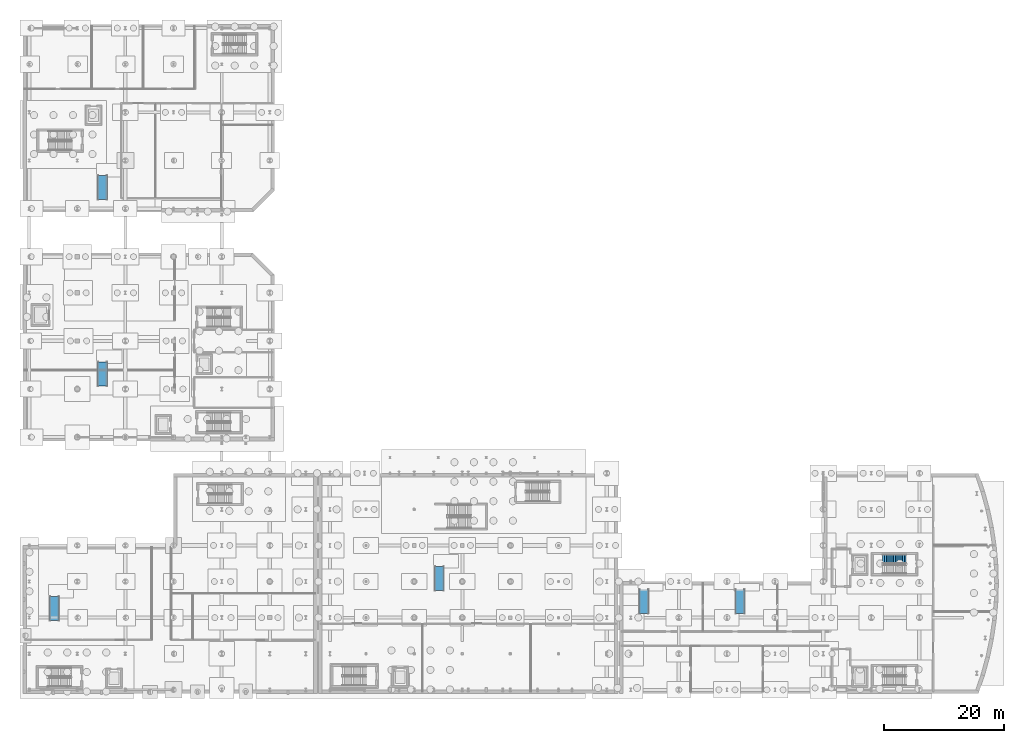
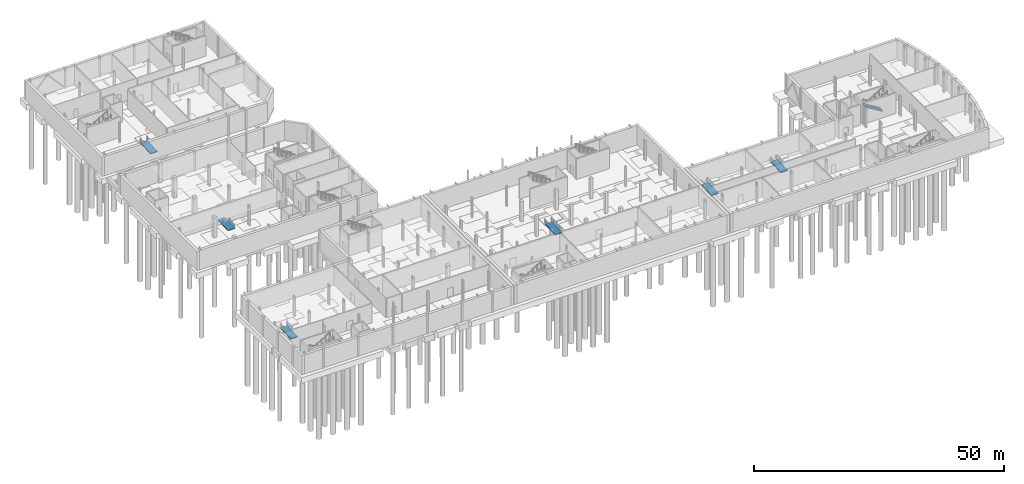
# One storey, part 31 of 47: 6 ramps, 6 ramp flights, 1 stair flight, 1 element without a shape of its own.
"""IFC4 building model written with IfcOpenShell, lengths in metres."""

from ifc_helpers import new_model, si_unit, direction, frame, origin, place, context, subcontext, project, spatial, polyline, outline, extrude, material, layer, layer_set, type_object, element, aggregate, save


model = new_model("IFC4")

# Units and contexts
model_context = context("Model", 3, precision=1e-05, world=origin(), true_north=direction((0.0, 1.0)))
body_context = subcontext(model_context, "Body", "Model", "MODEL_VIEW")
ifc_project = project(units=[si_unit("LENGTHUNIT", "METRE"), si_unit("AREAUNIT", "SQUARE_METRE"), si_unit("VOLUMEUNIT", "CUBIC_METRE"), si_unit("PLANEANGLEUNIT", "RADIAN"), si_unit("MASSUNIT", "GRAM", prefix="KILO")], contexts=[model_context])

# Site, building, storey
site_placement = place(None, origin())
site = spatial("IfcSite", under=ifc_project, at=site_placement, CompositionType="ELEMENT")
building_placement = place(site_placement, origin())
building = spatial("IfcBuilding", under=site, at=building_placement, Name="Cymarion Research Institute", CompositionType="ELEMENT")
storey_placement = place(building_placement, frame((0.0, 0.0, -5.0)))
storey = spatial("IfcBuildingStorey", under=building, at=storey_placement, Name="B1", CompositionType="ELEMENT", Elevation=-5.0)

# Stair, stair flight
ifc_material = material(Name="Concrete C35/45", Category="concrete")
stair_type = type_object("IfcStairType", Name="REINFORCED CONCRETE DOGLEG STAIR STR-5000", PredefinedType="HALF_TURN_STAIR", material=ifc_material)
stair_placement = place(storey_placement, origin())
stair = element("IfcStair", 1, at=stair_placement, inside=storey, type_object=stair_type, Name="B1 Core C2 Smoke-Proof Exit Stair ST2", PredefinedType="HALF_TURN_STAIR")
stair_flight_type = type_object("IfcStairFlightType", Name="REINFORCED CONCRETE STAIR FLIGHT SFL-5000", PredefinedType="STRAIGHT", material=ifc_material)
stair_flight_placement = place(storey_placement, frame((152.39990234375, 27.239990234375, 0.0), z_axis=(0.0, 0.0, 1.0), x_axis=(-1.0, 0.0, 0.0)))
stair_flight = element("IfcStairFlight", 2, at=stair_flight_placement, type_object=stair_flight_type, Name="ST2 flight 1", NumberOfRisers=14, NumberOfTreads=13, PredefinedType="STRAIGHT", RiserHeight=0.178571429, TreadLength=0.3, context=body_context, shape_type="SweptSolid", body=[
    extrude(outline(polyline([(0.0, 0.0), (0.0, 0.178466796875), (0.300048828125, 0.178466796875), (0.300048828125, 0.357177734375), (0.60009765625, 0.357177734375), (0.60009765625, 0.53564453125), (0.89990234375, 0.53564453125), (0.89990234375, 0.71435546875), (1.199951171875, 0.71435546875), (1.199951171875, 0.892822265625), (1.5, 0.892822265625), (1.5, 1.071533203125), (1.800048828125, 1.071533203125), (1.800048828125, 1.25), (2.10009765625, 1.25), (2.10009765625, 1.428466796875), (2.39990234375, 1.428466796875), (2.39990234375, 1.607177734375), (2.699951171875, 1.607177734375), (2.699951171875, 1.78564453125), (3.0, 1.78564453125), (3.0, 1.96435546875), (3.300048828125, 1.96435546875), (3.300048828125, 2.142822265625), (3.60009765625, 2.142822265625), (3.60009765625, 2.321533203125), (3.89990234375, 2.321533203125), (3.89990234375, 2.5), (3.89990234375, 2.14697265625), (0.29296875, 0.0), (0.0, 0.0)])), frame((0.0, 0.760009765625, 0.0), z_axis=(0.0, -1.0, 0.0), x_axis=(1.0, 0.0, 0.0)), (0.0, 0.0, 1.0), 1.52001953125),
])
aggregate(stair, [stair_flight])

# Ramp flight
ifc_layer = layer(ifc_material, 0.199951171875)
ifc_layer_set = layer_set([ifc_layer], Name="Concrete C35/45")
ramp_flight_type = type_object("IfcRampFlightType", Name="ACCESSIBLE RAMP FLIGHT RF1 1600MM", PredefinedType="STRAIGHT", material=ifc_layer_set)
ramp_flight_1_placement = place(storey_placement, frame((108.0, 18.199951171875, 0.0), z_axis=(0.0, -0.062378286155, 0.998052578483), x_axis=(1.0, 0.0, 0.0)))
ramp_flight_1 = element("IfcRampFlight", 3, at=ramp_flight_1_placement, type_object=ramp_flight_type, Name="Accessible laboratory plinth ramp R1 flight 1", PredefinedType="STRAIGHT", context=body_context, shape_type="SweptSolid", body=[
    extrude(outline(polyline([(0.0, 0.0), (1.60009765625, 0.0), (1.60009765625, 4.00780488547035), (0.0, 4.00780488547035), (0.0, 0.0)])), origin(), (0.0, 0.0, -1.0), 0.199951171875),
])

ramp_flight_2_placement = place(storey_placement, frame((124.0, 18.199951171875, 0.0), z_axis=(0.0, -0.062378286155, 0.998052578483), x_axis=(1.0, 0.0, 0.0)))
ramp_flight_2 = element("IfcRampFlight", 4, at=ramp_flight_2_placement, type_object=ramp_flight_type, Name="Accessible laboratory plinth ramp R2 flight 1", PredefinedType="STRAIGHT", context=body_context, shape_type="SweptSolid", body=[
    extrude(outline(polyline([(0.0, 0.0), (1.60009765625, 0.0), (1.60009765625, 4.00780488547035), (0.0, 4.00780488547035), (0.0, 0.0)])), origin(), (0.0, 0.0, -1.0), 0.199951171875),
])

ramp_flight_3_placement = place(storey_placement, frame((74.0, 22.0, 0.0), z_axis=(0.0, -0.062378286155, 0.998052578483), x_axis=(1.0, 0.0, 0.0)))
ramp_flight_3 = element("IfcRampFlight", 5, at=ramp_flight_3_placement, type_object=ramp_flight_type, Name="Accessible laboratory plinth ramp R3 flight 1", PredefinedType="STRAIGHT", context=body_context, shape_type="SweptSolid", body=[
    extrude(outline(polyline([(0.0, 0.0), (1.60009765625, 0.0), (1.60009765625, 4.00780488547035), (0.0, 4.00780488547035), (0.0, 0.0)])), origin(), (0.0, 0.0, -1.0), 0.199951171875),
])

ramp_flight_4_placement = place(storey_placement, frame((10.0, 17.0, 0.0), z_axis=(0.0, -0.062378286155, 0.998052578483), x_axis=(1.0, 0.0, 0.0)))
ramp_flight_4 = element("IfcRampFlight", 6, at=ramp_flight_4_placement, type_object=ramp_flight_type, Name="Accessible laboratory plinth ramp R4 flight 1", PredefinedType="STRAIGHT", context=body_context, shape_type="SweptSolid", body=[
    extrude(outline(polyline([(0.0, 0.0), (1.60009765625, 0.0), (1.60009765625, 4.00780488547035), (0.0, 4.00780488547035), (0.0, 0.0)])), origin(), (0.0, 0.0, -1.0), 0.199951171875),
])

ramp_flight_5_placement = place(storey_placement, frame((18.0, 56.0, 0.0), z_axis=(0.0, -0.062378286155, 0.998052578483), x_axis=(1.0, 0.0, 0.0)))
ramp_flight_5 = element("IfcRampFlight", 7, at=ramp_flight_5_placement, type_object=ramp_flight_type, Name="Accessible laboratory plinth ramp R5 flight 1", PredefinedType="STRAIGHT", context=body_context, shape_type="SweptSolid", body=[
    extrude(outline(polyline([(0.0, 0.0), (1.60009765625, 0.0), (1.60009765625, 4.00780488547035), (0.0, 4.00780488547035), (0.0, 0.0)])), origin(), (0.0, 0.0, -1.0), 0.199951171875),
])

ramp_flight_6_placement = place(storey_placement, frame((18.0, 87.0, 0.0), z_axis=(0.0, -0.062378286155, 0.998052578483), x_axis=(1.0, 0.0, 0.0)))
ramp_flight_6 = element("IfcRampFlight", 8, at=ramp_flight_6_placement, type_object=ramp_flight_type, Name="Accessible laboratory plinth ramp R6 flight 1", PredefinedType="STRAIGHT", context=body_context, shape_type="SweptSolid", body=[
    extrude(outline(polyline([(0.0, 0.0), (1.60009765625, 0.0), (1.60009765625, 4.00780488547035), (0.0, 4.00780488547035), (0.0, 0.0)])), origin(), (0.0, 0.0, -1.0), 0.199951171875),
])

# Ramp
ramp_type = type_object("IfcRampType", Name="ACCESSIBLE STONE PEDESTRIAN RAMP RMP1", PredefinedType="STRAIGHT_RUN_RAMP", material=ifc_material)
ramp_1_placement = place(storey_placement, frame((108.0, 18.199951171875, 0.0), z_axis=(0.0, -0.062378286155, 0.998052578483), x_axis=(1.0, 0.0, 0.0)))
ramp_1 = element("IfcRamp", 9, at=ramp_1_placement, inside=storey, type_object=ramp_type, Name="Accessible laboratory plinth ramp R1", PredefinedType="STRAIGHT_RUN_RAMP", context=body_context, shape_type="SweptSolid", body=[
    extrude(outline(polyline([(0.0, 0.0), (1.60009765625, 0.0), (1.60009765625, 4.00780488547035), (0.0, 4.00780488547035), (0.0, 0.0)])), origin(), (0.0, 0.0, -1.0), 0.199951171875),
])

aggregate(ramp_1, [ramp_flight_1])

ramp_2_placement = place(storey_placement, frame((124.0, 18.199951171875, 0.0), z_axis=(0.0, -0.062378286155, 0.998052578483), x_axis=(1.0, 0.0, 0.0)))
ramp_2 = element("IfcRamp", 10, at=ramp_2_placement, inside=storey, type_object=ramp_type, Name="Accessible laboratory plinth ramp R2", PredefinedType="STRAIGHT_RUN_RAMP", context=body_context, shape_type="SweptSolid", body=[
    extrude(outline(polyline([(0.0, 0.0), (1.60009765625, 0.0), (1.60009765625, 4.00780488547035), (0.0, 4.00780488547035), (0.0, 0.0)])), origin(), (0.0, 0.0, -1.0), 0.199951171875),
])

aggregate(ramp_2, [ramp_flight_2])

ramp_3_placement = place(storey_placement, frame((74.0, 22.0, 0.0), z_axis=(0.0, -0.062378286155, 0.998052578483), x_axis=(1.0, 0.0, 0.0)))
ramp_3 = element("IfcRamp", 11, at=ramp_3_placement, inside=storey, type_object=ramp_type, Name="Accessible laboratory plinth ramp R3", PredefinedType="STRAIGHT_RUN_RAMP", context=body_context, shape_type="SweptSolid", body=[
    extrude(outline(polyline([(0.0, 0.0), (1.60009765625, 0.0), (1.60009765625, 4.00780488547035), (0.0, 4.00780488547035), (0.0, 0.0)])), origin(), (0.0, 0.0, -1.0), 0.199951171875),
])

aggregate(ramp_3, [ramp_flight_3])

ramp_4_placement = place(storey_placement, frame((10.0, 17.0, 0.0), z_axis=(0.0, -0.062378286155, 0.998052578483), x_axis=(1.0, 0.0, 0.0)))
ramp_4 = element("IfcRamp", 12, at=ramp_4_placement, inside=storey, type_object=ramp_type, Name="Accessible laboratory plinth ramp R4", PredefinedType="STRAIGHT_RUN_RAMP", context=body_context, shape_type="SweptSolid", body=[
    extrude(outline(polyline([(0.0, 0.0), (1.60009765625, 0.0), (1.60009765625, 4.00780488547035), (0.0, 4.00780488547035), (0.0, 0.0)])), origin(), (0.0, 0.0, -1.0), 0.199951171875),
])

aggregate(ramp_4, [ramp_flight_4])

ramp_5_placement = place(storey_placement, frame((18.0, 56.0, 0.0), z_axis=(0.0, -0.062378286155, 0.998052578483), x_axis=(1.0, 0.0, 0.0)))
ramp_5 = element("IfcRamp", 13, at=ramp_5_placement, inside=storey, type_object=ramp_type, Name="Accessible laboratory plinth ramp R5", PredefinedType="STRAIGHT_RUN_RAMP", context=body_context, shape_type="SweptSolid", body=[
    extrude(outline(polyline([(0.0, 0.0), (1.60009765625, 0.0), (1.60009765625, 4.00780488547035), (0.0, 4.00780488547035), (0.0, 0.0)])), origin(), (0.0, 0.0, -1.0), 0.199951171875),
])

aggregate(ramp_5, [ramp_flight_5])

ramp_6_placement = place(storey_placement, frame((18.0, 87.0, 0.0), z_axis=(0.0, -0.062378286155, 0.998052578483), x_axis=(1.0, 0.0, 0.0)))
ramp_6 = element("IfcRamp", 14, at=ramp_6_placement, inside=storey, type_object=ramp_type, Name="Accessible laboratory plinth ramp R6", PredefinedType="STRAIGHT_RUN_RAMP", context=body_context, shape_type="SweptSolid", body=[
    extrude(outline(polyline([(0.0, 0.0), (1.60009765625, 0.0), (1.60009765625, 4.00780488547035), (0.0, 4.00780488547035), (0.0, 0.0)])), origin(), (0.0, 0.0, -1.0), 0.199951171875),
])

aggregate(ramp_6, [ramp_flight_6])

save(model, "model.ifc")
